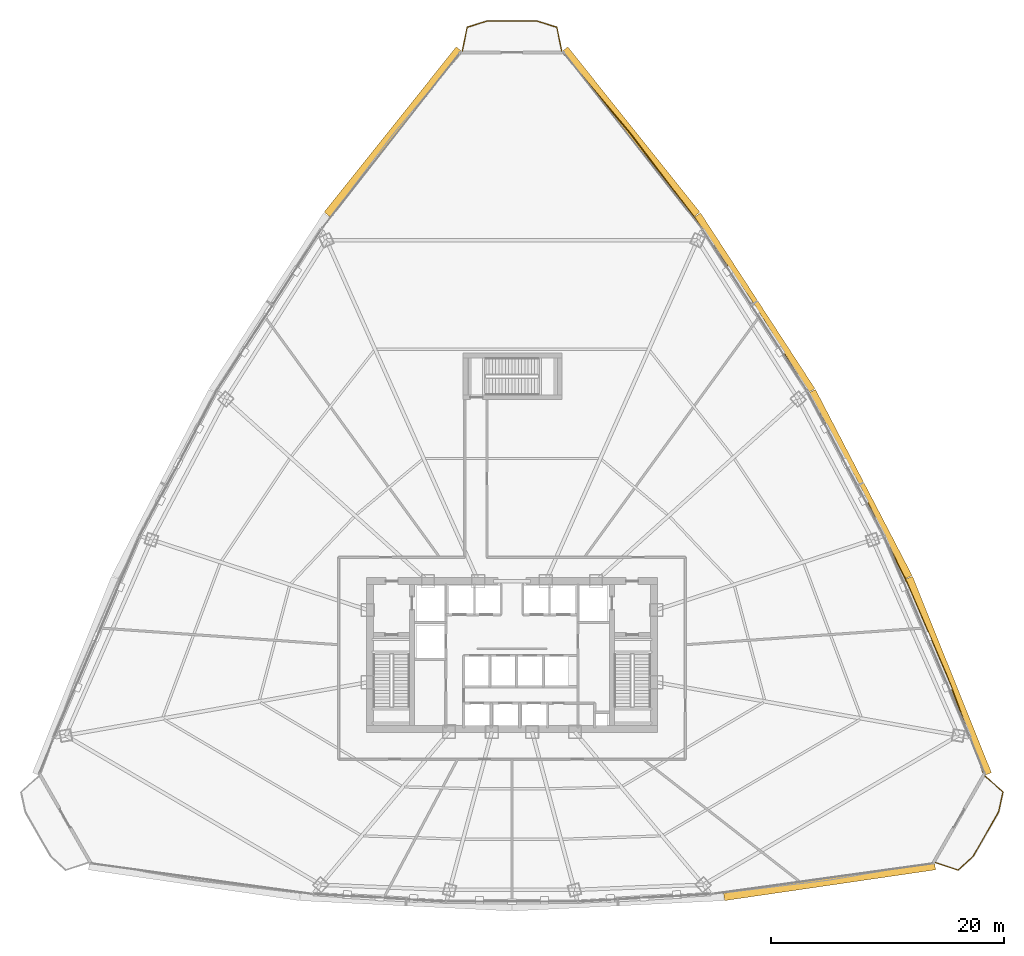
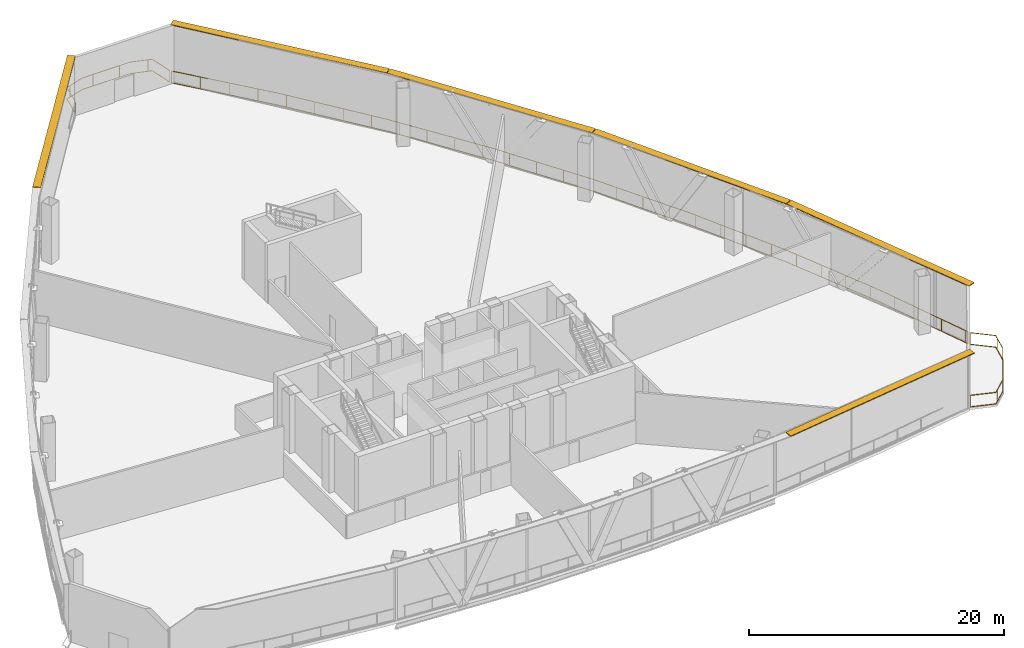
# One storey, part 36 of 36: 6 shading devices, 3 railings.
"""IFC4 building model written with IfcOpenShell, lengths in metres."""

from ifc_helpers import new_model, si_unit, direction, frame, origin, origin_2d, place, context, subcontext, project, spatial, rectangle, extrude, source, transform, mapped, material, layer, layer_set, type_object, element, save


model = new_model("IFC4")

# Units and contexts
model_context = context("Model", 3, precision=1e-05, world=origin(), true_north=direction((0.0, 1.0)))
body_context = subcontext(model_context, "Body", "Model", "MODEL_VIEW")
ifc_project = project(units=[si_unit("LENGTHUNIT", "METRE"), si_unit("AREAUNIT", "SQUARE_METRE"), si_unit("VOLUMEUNIT", "CUBIC_METRE"), si_unit("PLANEANGLEUNIT", "RADIAN"), si_unit("MASSUNIT", "GRAM", prefix="KILO"), si_unit("THERMODYNAMICTEMPERATUREUNIT", "KELVIN"), si_unit("POWERUNIT", "WATT")], contexts=[model_context])

# Site, building, storey
site_placement = place(None, origin())
site = spatial("IfcSite", under=ifc_project, at=site_placement, CompositionType="ELEMENT")
building_placement = place(site_placement, origin())
building = spatial("IfcBuilding", under=site, at=building_placement, Name="Yunzhuo Pagoda Commons", CompositionType="ELEMENT")
storey_placement = place(building_placement, frame((0.0, 0.0, 119.179931640625)))
storey = spatial("IfcBuildingStorey", under=building, at=storey_placement, Name="L30", CompositionType="ELEMENT", Elevation=119.179931640625)

# Railings
ifc_material = material(Name="Anodized aluminium 6063-T6", Category="aluminium")
railing_type_1 = type_object("IfcRailingType", Name="RL-BAL1 Exterior Terrace & Balcony Balustrade 1150", PredefinedType="BALUSTRADE", material=ifc_material)
railing_1_placement = place(storey_placement, frame((84.388916015625, 16.02685546875, 0.0)))
element("IfcRailing", 1, at=railing_1_placement, inside=storey, type_object=railing_type_1, Name="L30 corner balcony balustrade V2", PredefinedType="BALUSTRADE", context=body_context, shape_type="SweptSolid", body=[
    extrude(rectangle(XDim=0.048095703125, YDim=0.048095703125, at=origin_2d()), frame((0.0, 0.0, 1.1259765625), z_axis=(0.947419062147, -0.319995501031, 0.0), x_axis=(0.319995501031, 0.947419062147, 0.0)), (0.0, 0.0, 1.0), 2.05908203125),
    extrude(rectangle(XDim=0.048095703125, YDim=0.048095703125, at=origin_2d()), frame((0.0, 0.0, 0.02392578125), z_axis=(0.947419062147, -0.319995501031, 0.0), x_axis=(0.319995501031, 0.947419062147, 0.0)), (0.0, 0.0, 1.0), 2.05908203125),
    extrude(rectangle(XDim=0.048095703125, YDim=0.048095703125, at=origin_2d()), frame((1.950927734375, -0.658935546875, 1.1259765625), z_axis=(0.733535324638, 0.679651327894, 0.0), x_axis=(-0.679651327894, 0.733535324638, 0.0)), (0.0, 0.0, 1.0), 1.780517578125),
    extrude(rectangle(XDim=0.048095703125, YDim=0.048095703125, at=origin_2d()), frame((1.950927734375, -0.658935546875, 0.02392578125), z_axis=(0.733535324638, 0.679651327894, 0.0), x_axis=(-0.679651327894, 0.733535324638, 0.0)), (0.0, 0.0, 1.0), 1.780517578125),
    extrude(rectangle(XDim=0.048095703125, YDim=0.048095703125, at=origin_2d()), frame((3.257080078125, 0.55126953125, 1.1259765625), z_axis=(0.49790495802, 0.867231602733, 0.0), x_axis=(-0.867231602733, 0.49790495802, 0.0)), (0.0, 0.0, 1.0), 4.359619140625),
    extrude(rectangle(XDim=0.048095703125, YDim=0.048095703125, at=origin_2d()), frame((3.257080078125, 0.55126953125, 0.02392578125), z_axis=(0.49790495802, 0.867231602733, 0.0), x_axis=(-0.867231602733, 0.49790495802, 0.0)), (0.0, 0.0, 1.0), 4.359619140625),
    extrude(rectangle(XDim=0.048095703125, YDim=0.048095703125, at=origin_2d()), frame((5.427734375, 4.33203125, 1.1259765625), z_axis=(0.217220850426, 0.976122483165, 0.0), x_axis=(-0.976122483165, 0.217220850426, 0.0)), (0.0, 0.0, 1.0), 1.7802734375),
    extrude(rectangle(XDim=0.048095703125, YDim=0.048095703125, at=origin_2d()), frame((5.427734375, 4.33203125, 0.02392578125), z_axis=(0.217220850426, 0.976122483165, 0.0), x_axis=(-0.976122483165, 0.217220850426, 0.0)), (0.0, 0.0, 1.0), 1.7802734375),
    extrude(rectangle(XDim=0.048095703125, YDim=0.048095703125, at=origin_2d()), frame((5.814453125, 6.06982421875, 1.1259765625), z_axis=(-0.753933830692, 0.656950362614, 0.0), x_axis=(-0.656950362614, -0.753933830692, 0.0)), (0.0, 0.0, 1.0), 2.05908203125),
    extrude(rectangle(XDim=0.048095703125, YDim=0.048095703125, at=origin_2d()), frame((5.814453125, 6.06982421875, 0.02392578125), z_axis=(-0.753933830692, 0.656950362614, 0.0), x_axis=(-0.656950362614, -0.753933830692, 0.0)), (0.0, 0.0, 1.0), 2.05908203125),
    extrude(rectangle(XDim=0.0419921875, YDim=0.0419921875, at=origin_2d()), origin(), (0.0, 0.0, 1.0), 1.101806640625),
    extrude(rectangle(XDim=0.0419921875, YDim=0.0419921875, at=origin_2d()), frame((2.200927734375, -0.42724609375, 0.0)), (0.0, 0.0, 1.0), 1.101806640625),
    extrude(rectangle(XDim=0.0419921875, YDim=0.0419921875, at=origin_2d()), frame((3.735107421875, 1.384033203125, 0.0)), (0.0, 0.0, 1.0), 1.101806640625),
    extrude(rectangle(XDim=0.0419921875, YDim=0.0419921875, at=origin_2d()), frame((4.93017578125, 3.46533203125, 0.0)), (0.0, 0.0, 1.0), 1.101806640625),
    extrude(rectangle(XDim=0.0419921875, YDim=0.0419921875, at=origin_2d()), frame((5.73193359375, 5.69921875, 0.0)), (0.0, 0.0, 1.0), 1.101806640625),
    extrude(rectangle(XDim=0.0419921875, YDim=0.0419921875, at=origin_2d()), frame((4.261962890625, 7.422607421875, 0.0)), (0.0, 0.0, 1.0), 1.101806640625),
])
railing_2_placement = place(storey_placement, frame((52.26171875, 85.788818359375, 0.0)))
element("IfcRailing", 2, at=railing_2_placement, inside=storey, type_object=railing_type_1, Name="L30 corner balcony balustrade V3", PredefinedType="BALUSTRADE", context=body_context, shape_type="SweptSolid", body=[
    extrude(rectangle(XDim=0.048095703125, YDim=0.048095703125, at=origin_2d()), frame((0.0, 0.0, 1.1259765625), z_axis=(-0.194337253182, 0.980934774603, 0.0), x_axis=(-0.980934774603, -0.194337253182, 0.0)), (0.0, 0.0, 1.0), 2.05908203125),
    extrude(rectangle(XDim=0.048095703125, YDim=0.048095703125, at=origin_2d()), frame((0.0, 0.0, 0.02392578125), z_axis=(-0.194337253182, 0.980934774603, 0.0), x_axis=(-0.980934774603, -0.194337253182, 0.0)), (0.0, 0.0, 1.0), 2.05908203125),
    extrude(rectangle(XDim=0.048095703125, YDim=0.048095703125, at=origin_2d()), frame((-0.400146484375, 2.019775390625, 1.1259765625), z_axis=(-0.954207429891, 0.299145751667, 0.0), x_axis=(-0.299145751667, -0.954207429891, 0.0)), (0.0, 0.0, 1.0), 1.771728515625),
    extrude(rectangle(XDim=0.048095703125, YDim=0.048095703125, at=origin_2d()), frame((-0.400146484375, 2.019775390625, 0.02392578125), z_axis=(-0.954207429891, 0.299145751667, 0.0), x_axis=(-0.299145751667, -0.954207429891, 0.0)), (0.0, 0.0, 1.0), 1.771728515625),
    extrude(rectangle(XDim=0.048095703125, YDim=0.048095703125, at=origin_2d()), frame((-2.0908203125, 2.5498046875, 1.1259765625), z_axis=(-1.0, 0.0, 0.0), x_axis=(0.0, -1.0, 0.0)), (0.0, 0.0, 1.0), 4.341796875),
    extrude(rectangle(XDim=0.048095703125, YDim=0.048095703125, at=origin_2d()), frame((-2.0908203125, 2.5498046875, 0.02392578125), z_axis=(-1.0, 0.0, 0.0), x_axis=(0.0, -1.0, 0.0)), (0.0, 0.0, 1.0), 4.341796875),
    extrude(rectangle(XDim=0.048095703125, YDim=0.048095703125, at=origin_2d()), frame((-6.4326171875, 2.5498046875, 1.1259765625), z_axis=(-0.954207429891, -0.299145751667, 0.0), x_axis=(0.299145751667, -0.954207429891, 0.0)), (0.0, 0.0, 1.0), 1.771728515625),
    extrude(rectangle(XDim=0.048095703125, YDim=0.048095703125, at=origin_2d()), frame((-6.4326171875, 2.5498046875, 0.02392578125), z_axis=(-0.954207429891, -0.299145751667, 0.0), x_axis=(0.299145751667, -0.954207429891, 0.0)), (0.0, 0.0, 1.0), 1.771728515625),
    extrude(rectangle(XDim=0.048095703125, YDim=0.048095703125, at=origin_2d()), frame((-8.123291015625, 2.019775390625, 1.1259765625), z_axis=(-0.194337253182, -0.980934774603, 0.0), x_axis=(0.980934774603, -0.194337253182, 0.0)), (0.0, 0.0, 1.0), 2.05908203125),
    extrude(rectangle(XDim=0.048095703125, YDim=0.048095703125, at=origin_2d()), frame((-8.123291015625, 2.019775390625, 0.02392578125), z_axis=(-0.194337253182, -0.980934774603, 0.0), x_axis=(0.980934774603, -0.194337253182, 0.0)), (0.0, 0.0, 1.0), 2.05908203125),
    extrude(rectangle(XDim=0.0419921875, YDim=0.0419921875, at=origin_2d()), origin(), (0.0, 0.0, 1.0), 1.101806640625),
    extrude(rectangle(XDim=0.0419921875, YDim=0.0419921875, at=origin_2d()), frame((-0.7255859375, 2.121826171875, 0.0)), (0.0, 0.0, 1.0), 1.101806640625),
    extrude(rectangle(XDim=0.0419921875, YDim=0.0419921875, at=origin_2d()), frame((-3.06005859375, 2.5498046875, 0.0)), (0.0, 0.0, 1.0), 1.101806640625),
    extrude(rectangle(XDim=0.0419921875, YDim=0.0419921875, at=origin_2d()), frame((-5.4599609375, 2.5498046875, 0.0)), (0.0, 0.0, 1.0), 1.101806640625),
    extrude(rectangle(XDim=0.0419921875, YDim=0.0419921875, at=origin_2d()), frame((-7.794677734375, 2.122802734375, 0.0)), (0.0, 0.0, 1.0), 1.101806640625),
    extrude(rectangle(XDim=0.0419921875, YDim=0.0419921875, at=origin_2d()), frame((-8.5234375, 0.0, 0.0)), (0.0, 0.0, 1.0), 1.101806640625),
])
railing_type_2 = type_object("IfcRailingType", Name="RL-SIL1 Curtain-Wall Sill Safety Guardrail 1180", PredefinedType="GUARDRAIL", material=ifc_material)
railing_3_placement = place(storey_placement, frame((52.341552734375, 85.63330078125, 0.0)))
element("IfcRailing", 3, at=railing_3_placement, inside=storey, type_object=railing_type_2, Name="L30 curtain-wall sill safety rail 3", PredefinedType="GUARDRAIL", context=body_context, shape_type="SweptSolid", body=[
    extrude(rectangle(XDim=0.048095703125, YDim=0.048095703125, at=origin_2d()), frame((0.0, 0.0, 1.15576171875), z_axis=(0.643016940544, -0.76585195317, 0.0), x_axis=(0.76585195317, 0.643016940544, 0.0)), (0.0, 0.0, 1.0), 9.0234375),
    extrude(rectangle(XDim=0.048095703125, YDim=0.048095703125, at=origin_2d()), frame((0.0, 0.0, 0.02392578125), z_axis=(0.643016940544, -0.76585195317, 0.0), x_axis=(0.76585195317, 0.643016940544, 0.0)), (0.0, 0.0, 1.0), 9.0234375),
    extrude(rectangle(XDim=0.048095703125, YDim=0.048095703125, at=origin_2d()), frame((5.80224609375, -6.91064453125, 1.15576171875), z_axis=(0.605525165973, -0.795826157759, 0.0), x_axis=(0.795826157759, 0.605525165973, 0.0)), (0.0, 0.0, 1.0), 9.075439453125),
    extrude(rectangle(XDim=0.048095703125, YDim=0.048095703125, at=origin_2d()), frame((5.80224609375, -6.91064453125, 0.02392578125), z_axis=(0.605525165973, -0.795826157759, 0.0), x_axis=(0.795826157759, 0.605525165973, 0.0)), (0.0, 0.0, 1.0), 9.075439453125),
    extrude(rectangle(XDim=0.048095703125, YDim=0.048095703125, at=origin_2d()), frame((11.297607421875, -14.133056640625, 1.15576171875), z_axis=(0.566161680538, -0.824294214155, 0.0), x_axis=(0.824294214155, 0.566161680538, 0.0)), (0.0, 0.0, 1.0), 9.0322265625),
    extrude(rectangle(XDim=0.048095703125, YDim=0.048095703125, at=origin_2d()), frame((11.297607421875, -14.133056640625, 0.02392578125), z_axis=(0.566161680538, -0.824294214155, 0.0), x_axis=(0.824294214155, 0.566161680538, 0.0)), (0.0, 0.0, 1.0), 9.0322265625),
    extrude(rectangle(XDim=0.048095703125, YDim=0.048095703125, at=origin_2d()), frame((16.411376953125, -21.578369140625, 1.15576171875), z_axis=(0.525146156069, -0.851012053244, 0.0), x_axis=(0.851012053244, 0.525146156069, 0.0)), (0.0, 0.0, 1.0), 9.0107421875),
    extrude(rectangle(XDim=0.048095703125, YDim=0.048095703125, at=origin_2d()), frame((16.411376953125, -21.578369140625, 0.02392578125), z_axis=(0.525146156069, -0.851012053244, 0.0), x_axis=(0.851012053244, 0.525146156069, 0.0)), (0.0, 0.0, 1.0), 9.0107421875),
    extrude(rectangle(XDim=0.048095703125, YDim=0.048095703125, at=origin_2d()), frame((21.143310546875, -29.24658203125, 1.15576171875), z_axis=(0.48280155504, -0.875729786208, 0.0), x_axis=(0.875729786208, 0.48280155504, 0.0)), (0.0, 0.0, 1.0), 9.0107421875),
    extrude(rectangle(XDim=0.048095703125, YDim=0.048095703125, at=origin_2d()), frame((21.143310546875, -29.24658203125, 0.02392578125), z_axis=(0.48280155504, -0.875729786208, 0.0), x_axis=(0.875729786208, 0.48280155504, 0.0)), (0.0, 0.0, 1.0), 9.0107421875),
    extrude(rectangle(XDim=0.048095703125, YDim=0.048095703125, at=origin_2d()), frame((25.49365234375, -37.137451171875, 1.15576171875), z_axis=(0.439368651604, -0.898306845119, 0.0), x_axis=(0.898306845119, 0.439368651604, 0.0)), (0.0, 0.0, 1.0), 9.0322265625),
    extrude(rectangle(XDim=0.048095703125, YDim=0.048095703125, at=origin_2d()), frame((25.49365234375, -37.137451171875, 0.02392578125), z_axis=(0.439368651604, -0.898306845119, 0.0), x_axis=(0.898306845119, 0.439368651604, 0.0)), (0.0, 0.0, 1.0), 9.0322265625),
    extrude(rectangle(XDim=0.048095703125, YDim=0.048095703125, at=origin_2d()), frame((29.462158203125, -45.251220703125, 1.15576171875), z_axis=(0.395259766557, -0.918569386024, 0.0), x_axis=(0.918569386024, 0.395259766557, 0.0)), (0.0, 0.0, 1.0), 9.075439453125),
    extrude(rectangle(XDim=0.048095703125, YDim=0.048095703125, at=origin_2d()), frame((29.462158203125, -45.251220703125, 0.02392578125), z_axis=(0.395259766557, -0.918569386024, 0.0), x_axis=(0.918569386024, 0.395259766557, 0.0)), (0.0, 0.0, 1.0), 9.075439453125),
    extrude(rectangle(XDim=0.048095703125, YDim=0.048095703125, at=origin_2d()), frame((33.04931640625, -53.587646484375, 1.15576171875), z_axis=(0.350690419502, -0.936491446661, 0.0), x_axis=(0.936491446661, 0.350690419502, 0.0)), (0.0, 0.0, 1.0), 9.021728515625),
    extrude(rectangle(XDim=0.048095703125, YDim=0.048095703125, at=origin_2d()), frame((33.04931640625, -53.587646484375, 0.02392578125), z_axis=(0.350690419502, -0.936491446661, 0.0), x_axis=(0.936491446661, 0.350690419502, 0.0)), (0.0, 0.0, 1.0), 9.021728515625),
    extrude(rectangle(XDim=0.0419921875, YDim=0.0419921875, at=origin_2d()), origin(), (0.0, 0.0, 1.0), 1.1318359375),
    extrude(rectangle(XDim=0.0419921875, YDim=0.0419921875, at=origin_2d()), frame((1.543212890625, -1.838134765625, 0.0)), (0.0, 0.0, 1.0), 1.1318359375),
    extrude(rectangle(XDim=0.0419921875, YDim=0.0419921875, at=origin_2d()), frame((3.08642578125, -3.676025390625, 0.0)), (0.0, 0.0, 1.0), 1.1318359375),
    extrude(rectangle(XDim=0.0419921875, YDim=0.0419921875, at=origin_2d()), frame((4.629638671875, -5.51416015625, 0.0)), (0.0, 0.0, 1.0), 1.1318359375),
    extrude(rectangle(XDim=0.0419921875, YDim=0.0419921875, at=origin_2d()), frame((6.1513671875, -7.369384765625, 0.0)), (0.0, 0.0, 1.0), 1.1318359375),
    extrude(rectangle(XDim=0.0419921875, YDim=0.0419921875, at=origin_2d()), frame((7.6044921875, -9.279541015625, 0.0)), (0.0, 0.0, 1.0), 1.1318359375),
    extrude(rectangle(XDim=0.0419921875, YDim=0.0419921875, at=origin_2d()), frame((9.057861328125, -11.189453125, 0.0)), (0.0, 0.0, 1.0), 1.1318359375),
    extrude(rectangle(XDim=0.0419921875, YDim=0.0419921875, at=origin_2d()), frame((10.51123046875, -13.099365234375, 0.0)), (0.0, 0.0, 1.0), 1.1318359375),
    extrude(rectangle(XDim=0.0419921875, YDim=0.0419921875, at=origin_2d()), frame((11.921142578125, -15.040771484375, 0.0)), (0.0, 0.0, 1.0), 1.1318359375),
    extrude(rectangle(XDim=0.0419921875, YDim=0.0419921875, at=origin_2d()), frame((13.27978515625, -17.01904296875, 0.0)), (0.0, 0.0, 1.0), 1.1318359375),
    extrude(rectangle(XDim=0.0419921875, YDim=0.0419921875, at=origin_2d()), frame((14.638671875, -18.997314453125, 0.0)), (0.0, 0.0, 1.0), 1.1318359375),
    extrude(rectangle(XDim=0.0419921875, YDim=0.0419921875, at=origin_2d()), frame((15.997314453125, -20.9755859375, 0.0)), (0.0, 0.0, 1.0), 1.1318359375),
    extrude(rectangle(XDim=0.0419921875, YDim=0.0419921875, at=origin_2d()), frame((17.287841796875, -22.99853515625, 0.0)), (0.0, 0.0, 1.0), 1.1318359375),
    extrude(rectangle(XDim=0.0419921875, YDim=0.0419921875, at=origin_2d()), frame((18.548095703125, -25.041015625, 0.0)), (0.0, 0.0, 1.0), 1.1318359375),
    extrude(rectangle(XDim=0.0419921875, YDim=0.0419921875, at=origin_2d()), frame((19.808349609375, -27.08349609375, 0.0)), (0.0, 0.0, 1.0), 1.1318359375),
    extrude(rectangle(XDim=0.0419921875, YDim=0.0419921875, at=origin_2d()), frame((22.233642578125, -31.22412109375, 0.0)), (0.0, 0.0, 1.0), 1.1318359375),
    extrude(rectangle(XDim=0.0419921875, YDim=0.0419921875, at=origin_2d()), frame((23.392333984375, -33.325927734375, 0.0)), (0.0, 0.0, 1.0), 1.1318359375),
    extrude(rectangle(XDim=0.0419921875, YDim=0.0419921875, at=origin_2d()), frame((24.551025390625, -35.427490234375, 0.0)), (0.0, 0.0, 1.0), 1.1318359375),
    extrude(rectangle(XDim=0.0419921875, YDim=0.0419921875, at=origin_2d()), frame((25.690185546875, -37.53955078125, 0.0)), (0.0, 0.0, 1.0), 1.1318359375),
    extrude(rectangle(XDim=0.0419921875, YDim=0.0419921875, at=origin_2d()), frame((26.744873046875, -39.6953125, 0.0)), (0.0, 0.0, 1.0), 1.1318359375),
    extrude(rectangle(XDim=0.0419921875, YDim=0.0419921875, at=origin_2d()), frame((27.79931640625, -41.851318359375, 0.0)), (0.0, 0.0, 1.0), 1.1318359375),
    extrude(rectangle(XDim=0.0419921875, YDim=0.0419921875, at=origin_2d()), frame((28.853759765625, -44.00732421875, 0.0)), (0.0, 0.0, 1.0), 1.1318359375),
    extrude(rectangle(XDim=0.0419921875, YDim=0.0419921875, at=origin_2d()), frame((29.863525390625, -46.183837890625, 0.0)), (0.0, 0.0, 1.0), 1.1318359375),
    extrude(rectangle(XDim=0.0419921875, YDim=0.0419921875, at=origin_2d()), frame((30.81201171875, -48.388427734375, 0.0)), (0.0, 0.0, 1.0), 1.1318359375),
    extrude(rectangle(XDim=0.0419921875, YDim=0.0419921875, at=origin_2d()), frame((31.7607421875, -50.5927734375, 0.0)), (0.0, 0.0, 1.0), 1.1318359375),
    extrude(rectangle(XDim=0.0419921875, YDim=0.0419921875, at=origin_2d()), frame((32.709228515625, -52.79736328125, 0.0)), (0.0, 0.0, 1.0), 1.1318359375),
    extrude(rectangle(XDim=0.0419921875, YDim=0.0419921875, at=origin_2d()), frame((33.58935546875, -55.029541015625, 0.0)), (0.0, 0.0, 1.0), 1.1318359375),
    extrude(rectangle(XDim=0.0419921875, YDim=0.0419921875, at=origin_2d()), frame((34.430908203125, -57.277099609375, 0.0)), (0.0, 0.0, 1.0), 1.1318359375),
    extrude(rectangle(XDim=0.0419921875, YDim=0.0419921875, at=origin_2d()), frame((35.272705078125, -59.524658203125, 0.0)), (0.0, 0.0, 1.0), 1.1318359375),
    extrude(rectangle(XDim=0.0419921875, YDim=0.0419921875, at=origin_2d()), frame((36.1142578125, -61.7724609375, 0.0)), (0.0, 0.0, 1.0), 1.1318359375),
    extrude(rectangle(XDim=0.0419921875, YDim=0.0419921875, at=origin_2d()), frame((36.213134765625, -62.036376953125, 0.0)), (0.0, 0.0, 1.0), 1.1318359375),
])

# Shading devices
ifc_layer = layer(ifc_material, 0.080078125)
ifc_layer_set = layer_set([ifc_layer], Name="Anodized aluminium 6063-T6")
shading_device_type = type_object("IfcShadingDeviceType", Name="SH-SUN1 Pagoda Horizontal Sunshade Eave 650", PredefinedType="USERDEFINED", material=ifc_layer_set)
shared_shape_1 = source(origin(), body_context, "Body", "SweptSolid", [
    extrude(rectangle(XDim=18.3271484375, YDim=0.64990234375, at=origin_2d()), origin(), (0.0, 0.0, 1.0), 0.080078125),
])
shading_device_1_placement = place(storey_placement, frame((75.29638671875, 14.393310546875, 5.489990234375), z_axis=(0.0, 0.0, 1.0), x_axis=(0.989510666697, 0.144459823108, 0.0)))
element("IfcShadingDevice", 4, at=shading_device_1_placement, inside=storey, type_object=shading_device_type, Name="L30 horizontal pagoda sunshade eave F1.4", ObjectType="SUNSHADE", PredefinedType="USERDEFINED", context=body_context, shape_type="MappedRepresentation", body=[
    mapped(shared_shape_1, transform((0.0, 0.0, 0.0), scale=1.0)),
])
shared_shape_2 = source(origin(), body_context, "Body", "SweptSolid", [
    extrude(rectangle(XDim=18.179931640625, YDim=0.64990234375, at=origin_2d()), origin(), (0.0, 0.0, 1.0), 0.080078125),
])
shading_device_2_placement = place(storey_placement, frame((85.515380859375, 32.060791015625, 5.489990234375), z_axis=(0.0, 0.0, 1.0), x_axis=(-0.372987782576, 0.927836253899, 0.0)))
element("IfcShadingDevice", 5, at=shading_device_2_placement, inside=storey, type_object=shading_device_type, Name="L30 horizontal pagoda sunshade eave F2.1", ObjectType="SUNSHADE", PredefinedType="USERDEFINED", context=body_context, shape_type="MappedRepresentation", body=[
    mapped(shared_shape_2, transform((0.0, 0.0, 0.0), scale=1.0)),
])
shared_shape_3 = source(origin(), body_context, "Body", "SweptSolid", [
    extrude(rectangle(XDim=18.00732421875, YDim=0.64990234375, at=origin_2d()), origin(), (0.0, 0.0, 1.0), 0.080078125),
])
for number, where, z_axis, x_axis, name in (
    (6, (77.946044921875, 48.541259765625, 5.489990234375), (0.0, 0.0, 1.0), (-0.461206683033, 0.88729273384, 0.0), "L30 horizontal pagoda sunshade eave F2.2"),
    (7, (68.8466796875, 64.12890625, 5.489990234375), (0.0, 0.0, 1.0), (-0.545853380833, 0.837880711458, 0.0), "L30 horizontal pagoda sunshade eave F2.3"),
):
    element("IfcShadingDevice", number, at=place(storey_placement, frame(where, z_axis=z_axis, x_axis=x_axis)), inside=storey, type_object=shading_device_type, Name=name, ObjectType="SUNSHADE", PredefinedType="USERDEFINED", context=body_context, shape_type="MappedRepresentation", body=[
        mapped(shared_shape_3, transform((0.0, 0.0, 0.0), scale=1.0)),
    ])
shared_shape_4 = source(origin(), body_context, "Body", "SweptSolid", [
    extrude(rectangle(XDim=18.1796875, YDim=0.64990234375, at=origin_2d()), origin(), (0.0, 0.0, 1.0), 0.080078125),
])
for number, where, z_axis, x_axis, name in (
    (8, (58.21826171875, 78.823486328125, 5.489990234375), (0.0, 0.0, 1.0), (-0.624520471688, 0.781008438138, 0.0), "L30 horizontal pagoda sunshade eave F2.4"),
    (9, (37.78173828125, 78.823486328125, 5.489990234375), (0.0, 0.0, 1.0), (-0.624520471688, -0.781008438138, 0.0), "L30 horizontal pagoda sunshade eave F3.1"),
):
    element("IfcShadingDevice", number, at=place(storey_placement, frame(where, z_axis=z_axis, x_axis=x_axis)), inside=storey, type_object=shading_device_type, Name=name, ObjectType="SUNSHADE", PredefinedType="USERDEFINED", context=body_context, shape_type="MappedRepresentation", body=[
        mapped(shared_shape_4, transform((0.0, 0.0, 0.0), scale=1.0)),
    ])

save(model, "model.ifc")
